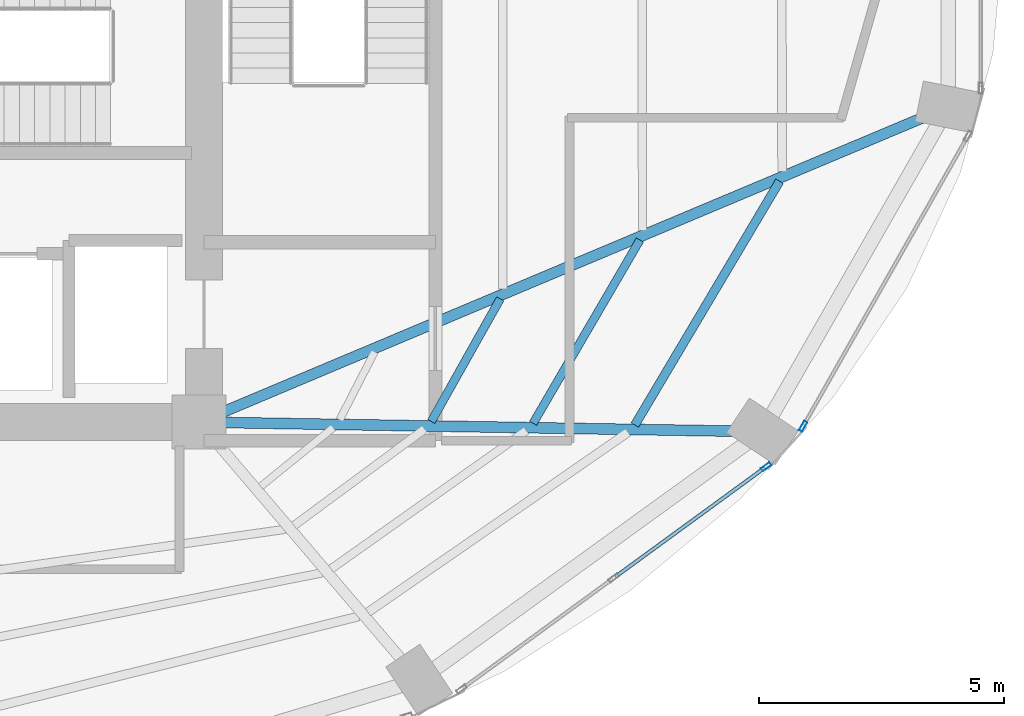
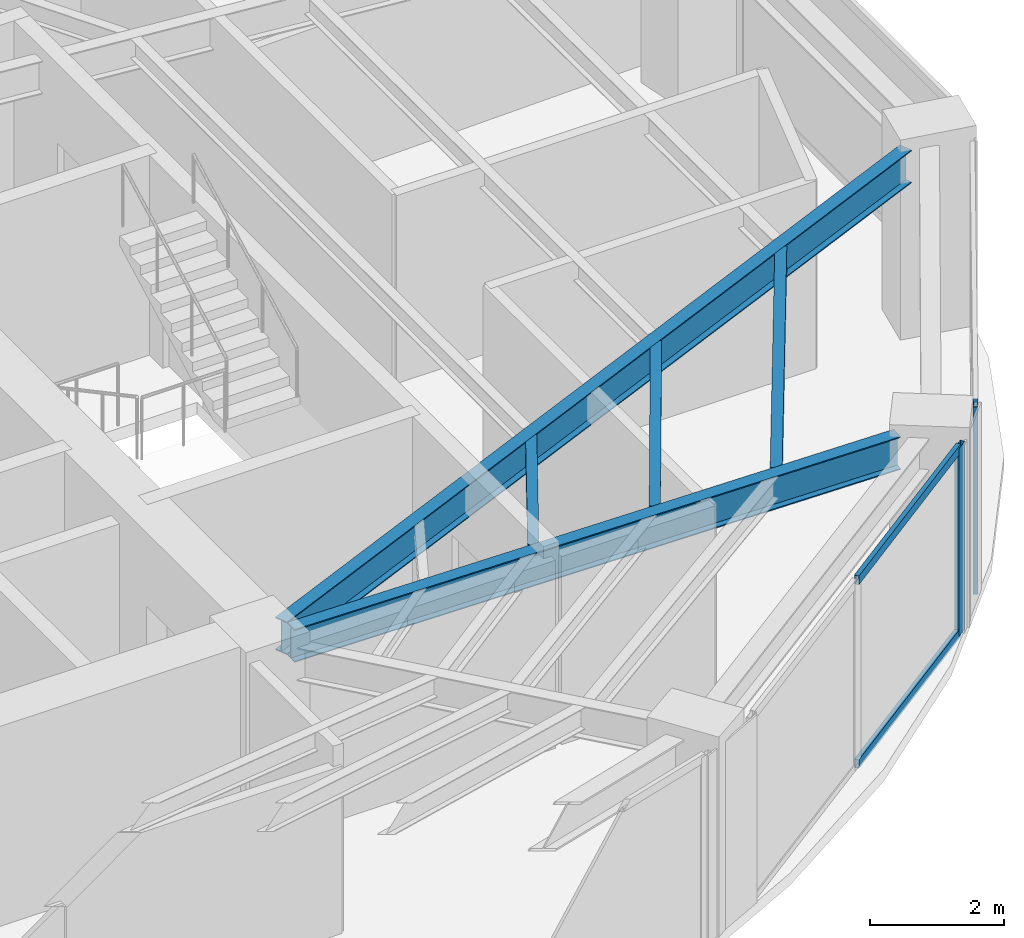
# One storey, part 11 of 24: 5 beams, 4 members, 2 elements without a shape of their own.
"""IFC4 building model written with IfcOpenShell, lengths in metres."""

from ifc_helpers import new_model, si_unit, direction, frame, origin, origin_2d, place, context, subcontext, project, spatial, hollow_rectangle, i_section, extrude, material, layer, layer_set, material_profile, profile_set, type_object, element, aggregate, save


model = new_model("IFC4")

# Units and contexts
model_context = context("Model", 3, precision=1e-05, world=origin(), true_north=direction((0.0, 1.0)))
body_context = subcontext(model_context, "Body", "Model", "MODEL_VIEW")
ifc_project = project(units=[si_unit("LENGTHUNIT", "METRE"), si_unit("AREAUNIT", "SQUARE_METRE"), si_unit("VOLUMEUNIT", "CUBIC_METRE"), si_unit("PLANEANGLEUNIT", "RADIAN"), si_unit("MASSUNIT", "GRAM", prefix="KILO")], contexts=[model_context])

# Site, building, storey
site_placement = place(None, origin())
site = spatial("IfcSite", under=ifc_project, at=site_placement, CompositionType="ELEMENT")
building_placement = place(site_placement, origin())
building = spatial("IfcBuilding", under=site, at=building_placement, Name="Lazwardi Medical Tower", CompositionType="ELEMENT")
storey_placement = place(building_placement, frame((0.0, 0.0, 96.3359375)))
storey = spatial("IfcBuildingStorey", under=building, at=storey_placement, Name="L24", CompositionType="ELEMENT", Elevation=96.3359375)

# Beams
ifc_material_1 = material(Name="Steel S355", Category="steel")
ifc_material_profile_1 = material_profile(ifc_material_1, i_section(OverallWidth=0.219970703125, OverallDepth=0.60009765625, WebThickness=0.011962890625, FlangeThickness=0.01904296875, at=origin_2d()), Name="IPE 600")
ifc_profile_set_1 = profile_set([ifc_material_profile_1], Name="Steel S355")
beam_type_1 = type_object("IfcBeamType", Name="BM-RG-W1", PredefinedType="BEAM", material=ifc_profile_set_1)
beam_1_placement = place(storey_placement, frame((56.497802734375, 20.215087890625, 3.128173828125), z_axis=(-0.99985616395, 0.016960289263, 0.0), x_axis=(-0.016960289263, -0.99985616395, 0.0)))
element("IfcBeam", 1, at=beam_1_placement, inside=storey, type_object=beam_type_1, Name="Radial girder RG-02 R03 L24", PredefinedType="BEAM", context=body_context, shape_type="SweptSolid", body=[
    extrude(i_section(OverallWidth=0.219970703125, OverallDepth=0.60009765625, WebThickness=0.011962890625, FlangeThickness=0.01904296875, at=origin_2d()), origin(), (0.0, 0.0, 1.0), 10.3642578125),
])
beam_2_placement = place(storey_placement, frame((60.328369140625, 26.59521484375, 3.128173828125), z_axis=(-0.921775176005, -0.38772480563, 0.0), x_axis=(0.38772480563, -0.921775176005, 0.0)))
element("IfcBeam", 2, at=beam_2_placement, inside=storey, type_object=beam_type_1, Name="Radial girder RG-02 R04 L24", PredefinedType="BEAM", context=body_context, shape_type="SweptSolid", body=[
    extrude(i_section(OverallWidth=0.219970703125, OverallDepth=0.60009765625, WebThickness=0.011962890625, FlangeThickness=0.01904296875, at=origin_2d()), origin(), (0.0, 0.0, 1.0), 15.443359375),
])
ifc_material_profile_2 = material_profile(ifc_material_1, i_section(OverallWidth=0.179931640625, OverallDepth=0.39990234375, WebThickness=0.008544921875, FlangeThickness=0.013427734375, at=origin_2d()), Name="IPE 400")
ifc_profile_set_2 = profile_set([ifc_material_profile_2], Name="Steel S355")
beam_type_2 = type_object("IfcBeamType", Name="BM-SJ-01", PredefinedType="JOIST", material=ifc_profile_set_2)
beam_3_placement = place(storey_placement, frame((54.47900390625, 20.340576171875, 3.22802734375), z_axis=(0.510499691073, 0.859877936346, 0.0), x_axis=(-0.859877936346, 0.510499691073, 0.0)))
element("IfcBeam", 3, at=beam_3_placement, inside=storey, type_object=beam_type_2, Name="Secondary joist SJ-01 R1 B03 L24", PredefinedType="JOIST", context=body_context, shape_type="SweptSolid", body=[
    extrude(i_section(OverallWidth=0.179931640625, OverallDepth=0.39990234375, WebThickness=0.008544921875, FlangeThickness=0.013427734375, at=origin_2d()), origin(), (0.0, 0.0, 1.0), 5.776123046875),
])
ifc_material_profile_3 = material_profile(ifc_material_1, i_section(OverallWidth=0.169921875, OverallDepth=0.360107421875, WebThickness=0.008056640625, FlangeThickness=0.0126953125, at=origin_2d()), Name="IPE 360")
ifc_profile_set_3 = profile_set([ifc_material_profile_3], Name="Steel S355")
beam_type_3 = type_object("IfcBeamType", Name="BM-SJ-02", PredefinedType="JOIST", material=ifc_profile_set_3)
beam_4_placement = place(storey_placement, frame((52.405517578125, 20.376220703125, 3.248046875), z_axis=(0.503544274258, 0.86396942299, 0.0), x_axis=(-0.86396942299, 0.503544274258, 0.0)))
element("IfcBeam", 4, at=beam_4_placement, inside=storey, type_object=beam_type_3, Name="Secondary joist SJ-02 R2 B03 L24", PredefinedType="JOIST", context=body_context, shape_type="SweptSolid", body=[
    extrude(i_section(OverallWidth=0.169921875, OverallDepth=0.360107421875, WebThickness=0.008056640625, FlangeThickness=0.0126953125, at=origin_2d()), origin(), (0.0, 0.0, 1.0), 4.321044921875),
])
beam_5_placement = place(storey_placement, frame((50.33154296875, 20.412109375, 3.248046875), z_axis=(0.489860824278, 0.871800649711, 0.0), x_axis=(-0.871800649711, 0.489860824278, 0.0)))
element("IfcBeam", 5, at=beam_5_placement, inside=storey, type_object=beam_type_3, Name="Secondary joist SJ-02 R3 B03 L24", PredefinedType="JOIST", context=body_context, shape_type="SweptSolid", body=[
    extrude(i_section(OverallWidth=0.169921875, OverallDepth=0.360107421875, WebThickness=0.008056640625, FlangeThickness=0.0126953125, at=origin_2d()), origin(), (0.0, 0.0, 1.0), 2.8662109375),
])

# Curtain wall, member
ifc_material_2 = material(Name="Anodised bronze aluminium and solar control glazing", Category="aluminium")
ifc_layer = layer(ifc_material_2, 0.195068359375)
ifc_layer_set = layer_set([ifc_layer], Name="Anodised bronze aluminium and solar control glazing")
curtain_wall_type = type_object("IfcCurtainWallType", Name="CW-SYS-03", PredefinedType="NOTDEFINED", material=ifc_layer_set)
curtain_wall_1_placement = place(storey_placement, origin())
curtain_wall_1 = element("IfcCurtainWall", 6, at=curtain_wall_1_placement, inside=storey, type_object=curtain_wall_type, Name="L24 Unitised bronze curtain wall CW-03", PredefinedType="NOTDEFINED")
ifc_material_3 = material(Name="Anodised bronze aluminium", Category="aluminium")
ifc_material_profile_4 = material_profile(ifc_material_3, hollow_rectangle(XDim=0.074951171875, YDim=0.219970703125, WallThickness=0.00390625, at=origin_2d()), Name="ALU-MULLION 220x75x4")
ifc_profile_set_4 = profile_set([ifc_material_profile_4], Name="Anodised bronze aluminium")
member_type_1 = type_object("IfcMemberType", Name="CW-MUL-01", PredefinedType="MULLION", material=ifc_profile_set_4)
member_1_placement = place(storey_placement, frame((57.155029296875, 19.4912109375, 0.0), z_axis=(0.0, 0.0, 1.0), x_axis=(-0.589530882802, 0.807745837639, 0.0)))
member_1 = element("IfcMember", 7, at=member_1_placement, type_object=member_type_1, Name="CW-03 mullion 3", PredefinedType="MULLION", context=body_context, shape_type="SweptSolid", body=[
    extrude(hollow_rectangle(XDim=0.074951171875, YDim=0.219970703125, WallThickness=0.00390625, at=origin_2d()), origin(), (0.0, 0.0, 1.0), 3.427978515625),
])

curtain_wall_2_placement = place(storey_placement, origin())
curtain_wall_2 = element("IfcCurtainWall", 8, at=curtain_wall_2_placement, inside=storey, type_object=curtain_wall_type, Name="L24 Unitised bronze curtain wall CW-03", PredefinedType="NOTDEFINED")
member_2_placement = place(storey_placement, frame((57.9072265625, 20.314208984375, 0.0), z_axis=(0.0, 0.0, 1.0), x_axis=(-0.869687265712, 0.493603140041, 0.0)))
member_2 = element("IfcMember", 9, at=member_2_placement, type_object=member_type_1, Name="CW-03 mullion 1", PredefinedType="MULLION", context=body_context, shape_type="SweptSolid", body=[
    extrude(hollow_rectangle(XDim=0.074951171875, YDim=0.219970703125, WallThickness=0.00390625, at=origin_2d()), origin(), (0.0, 0.0, 1.0), 3.427978515625),
])
aggregate(curtain_wall_2, [member_2])

# Member
ifc_material_profile_5 = material_profile(ifc_material_3, hollow_rectangle(XDim=0.074951171875, YDim=0.159912109375, WallThickness=0.00390625, at=origin_2d()), Name="ALU-TRANSOM 160x75x4")
ifc_profile_set_5 = profile_set([ifc_material_profile_5], Name="Anodised bronze aluminium")
member_type_2 = type_object("IfcMemberType", Name="CW-TRN-01", PredefinedType="USERDEFINED", material=ifc_profile_set_5)
member_3_placement = place(storey_placement, frame((54.081298828125, 17.247802734375, 0.03759765625), z_axis=(0.807731734271, 0.589550206049, 0.0), x_axis=(-0.589550206049, 0.807731734271, 0.0)))
member_3 = element("IfcMember", 10, at=member_3_placement, type_object=member_type_2, Name="CW-03 transom 2.1", ObjectType="TRANSOM", PredefinedType="USERDEFINED", context=body_context, shape_type="SweptSolid", body=[
    extrude(hollow_rectangle(XDim=0.074951171875, YDim=0.159912109375, WallThickness=0.00390625, at=origin_2d()), origin(), (0.0, 0.0, 1.0), 3.767578125),
])

member_4_placement = place(storey_placement, frame((54.081298828125, 17.247802734375, 3.390625), z_axis=(0.807731734271, 0.589550206049, 0.0), x_axis=(-0.589550206049, 0.807731734271, 0.0)))
member_4 = element("IfcMember", 11, at=member_4_placement, type_object=member_type_2, Name="CW-03 transom 2.2", ObjectType="TRANSOM", PredefinedType="USERDEFINED", context=body_context, shape_type="SweptSolid", body=[
    extrude(hollow_rectangle(XDim=0.074951171875, YDim=0.159912109375, WallThickness=0.00390625, at=origin_2d()), origin(), (0.0, 0.0, 1.0), 3.767578125),
])

aggregate(curtain_wall_1, [member_1, member_3, member_4])

save(model, "model.ifc")
